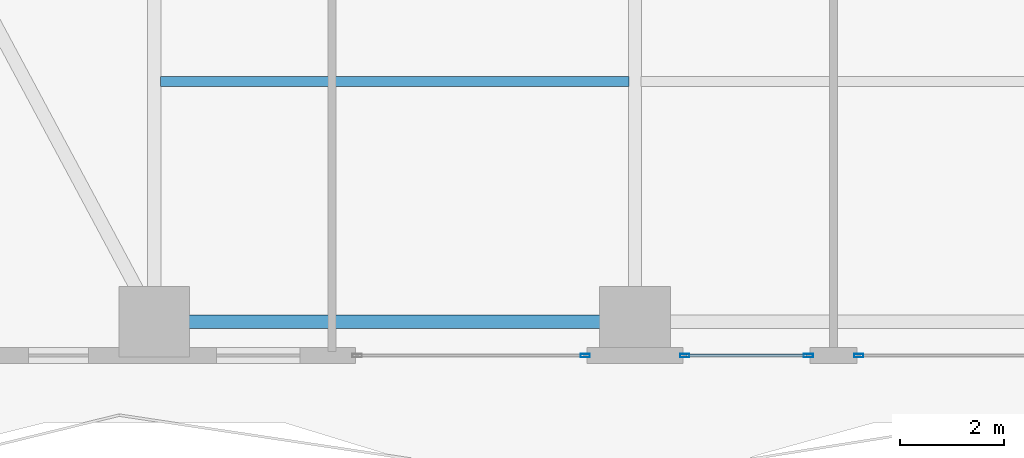
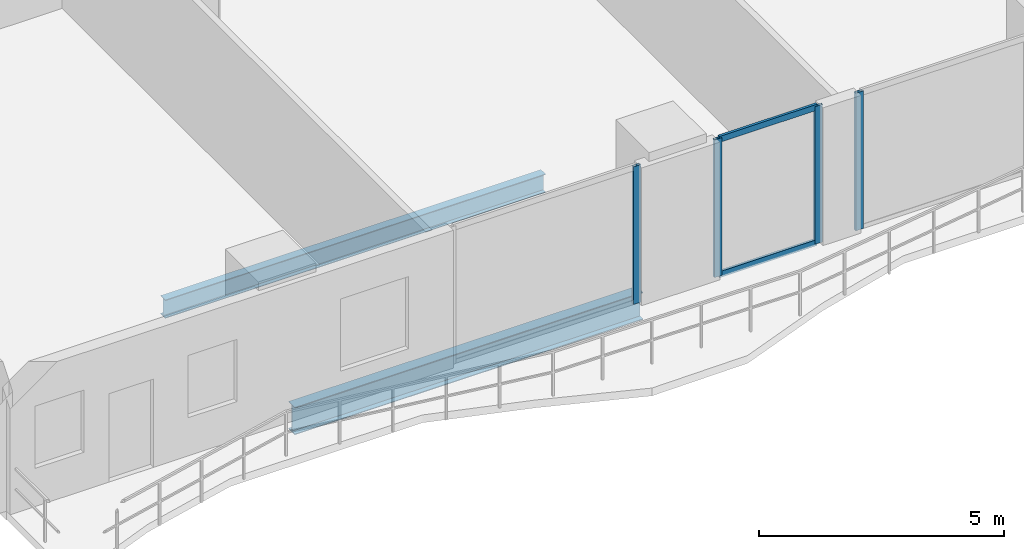
# One storey, part 4 of 28: 6 members, 2 beams, 3 elements without a shape of their own.
"""IFC4 building model written with IfcOpenShell, lengths in metres."""

from ifc_helpers import new_model, si_unit, direction, frame, origin, origin_2d, place, context, subcontext, project, spatial, hollow_rectangle, i_section, extrude, material, layer, layer_set, material_profile, profile_set, type_object, element, aggregate, save


model = new_model("IFC4")

# Units and contexts
model_context = context("Model", 3, precision=1e-05, world=origin(), true_north=direction((0.0, 1.0)))
body_context = subcontext(model_context, "Body", "Model", "MODEL_VIEW")
ifc_project = project(units=[si_unit("LENGTHUNIT", "METRE"), si_unit("AREAUNIT", "SQUARE_METRE"), si_unit("VOLUMEUNIT", "CUBIC_METRE"), si_unit("PLANEANGLEUNIT", "RADIAN"), si_unit("MASSUNIT", "GRAM", prefix="KILO")], contexts=[model_context])

# Site, building, storey
site_placement = place(None, origin())
site = spatial("IfcSite", under=ifc_project, at=site_placement, CompositionType="ELEMENT")
building_placement = place(site_placement, origin())
building = spatial("IfcBuilding", under=site, at=building_placement, Name="Zuhayl Quay Hotel", CompositionType="ELEMENT")
storey_placement = place(building_placement, frame((0.0, 0.0, 139.449951171875)))
storey = spatial("IfcBuildingStorey", under=building, at=storey_placement, Name="L35", CompositionType="ELEMENT", Elevation=139.449951171875)

# Beams
ifc_material_1 = material(Name="Steel ASTM A992 Grade 50", Category="steel")
ifc_material_profile_1 = material_profile(ifc_material_1, i_section(OverallWidth=0.25390625, OverallDepth=0.68310546875, WebThickness=0.012451171875, FlangeThickness=0.018798828125, at=origin_2d()), Name="W27X94")
ifc_profile_set_1 = profile_set([ifc_material_profile_1], Name="Steel ASTM A992 Grade 50")
beam_type_1 = type_object("IfcBeamType", Name="BM_B2_W27X94", PredefinedType="BEAM", material=ifc_profile_set_1)
beam_1_placement = place(storey_placement, frame((-13.300048828125, -14.75, -0.5615234375), z_axis=(1.0, 0.0, 0.0), x_axis=(0.0, 1.0, 0.0)))
element("IfcBeam", 1, at=beam_1_placement, inside=storey, type_object=beam_type_1, Name="L35 Floor Beam RG_L35_01", PredefinedType="BEAM", context=body_context, shape_type="SweptSolid", body=[
    extrude(i_section(OverallWidth=0.25390625, OverallDepth=0.68310546875, WebThickness=0.012451171875, FlangeThickness=0.018798828125, at=origin_2d()), origin(), (0.0, 0.0, 1.0), 8.199951171875),
])
ifc_material_profile_2 = material_profile(ifc_material_1, i_section(OverallWidth=0.18994140625, OverallDepth=0.45703125, WebThickness=0.009033203125, FlangeThickness=0.014404296875, at=origin_2d()), Name="W18X50")
ifc_profile_set_2 = profile_set([ifc_material_profile_2], Name="Steel ASTM A992 Grade 50")
beam_type_2 = type_object("IfcBeamType", Name="BM_J2_W18X50", PredefinedType="JOIST", material=ifc_profile_set_2)
beam_2_placement = place(storey_placement, frame((-13.680908203125, -10.14990234375, -0.448486328125), z_axis=(1.0, 0.0, 0.0), x_axis=(0.0, 1.0, 0.0)))
element("IfcBeam", 2, at=beam_2_placement, inside=storey, type_object=beam_type_2, Name="L35 Floor Beam FJ_L35_5_1", PredefinedType="JOIST", context=body_context, shape_type="SweptSolid", body=[
    extrude(i_section(OverallWidth=0.18994140625, OverallDepth=0.45703125, WebThickness=0.009033203125, FlangeThickness=0.014404296875, at=origin_2d()), origin(), (0.0, 0.0, 1.0), 8.9619140625),
])

# Curtain wall, member
ifc_material_2 = material(Name="Anodised Aluminium 6063-T6", Category="aluminium")
ifc_layer = layer(ifc_material_2, 0.179931640625, Name="Anodised Aluminium 6063-T6", Category="aluminium")
ifc_layer_set = layer_set([ifc_layer], Name="Anodised Aluminium 6063-T6")
curtain_wall_type = type_object("IfcCurtainWallType", Name="CW_SYS_Z2", PredefinedType="USERDEFINED", material=ifc_layer_set)
curtain_wall_1_placement = place(storey_placement, origin())
curtain_wall_1 = element("IfcCurtainWall", 3, at=curtain_wall_1_placement, inside=storey, type_object=curtain_wall_type, Name="L35 Curtain Wall ENV_L35_S_CW4", ObjectType="UNITISED CURTAIN WALL", PredefinedType="USERDEFINED")
ifc_material_3 = material(Name="Black-anodised aluminium 6063-T6", Category="aluminium")
ifc_material_profile_3 = material_profile(ifc_material_3, hollow_rectangle(XDim=0.06494140625, YDim=0.179931640625, WallThickness=0.00341796875, at=origin_2d()), Name="ALU180X65")
ifc_profile_set_3 = profile_set([ifc_material_profile_3], Name="Black-anodised aluminium 6063-T6")
member_type_1 = type_object("IfcMemberType", Name="MB_CW_MUL_180", PredefinedType="MULLION", material=ifc_profile_set_3)
member_1_placement = place(storey_placement, frame((-0.3173828125, -15.39990234375, 0.0), z_axis=(0.0, 0.0, 1.0), x_axis=(0.0, -1.0, 0.0)))
member_1 = element("IfcMember", 4, at=member_1_placement, type_object=member_type_1, Name="CW-Z2 mullion 2", PredefinedType="MULLION", context=body_context, shape_type="SweptSolid", body=[
    extrude(hollow_rectangle(XDim=0.06494140625, YDim=0.179931640625, WallThickness=0.00341796875, at=origin_2d()), origin(), (0.0, 0.0, 1.0), 3.429931640625),
])
aggregate(curtain_wall_1, [member_1])

# Curtain wall, members
curtain_wall_2_placement = place(storey_placement, origin())
curtain_wall_2 = element("IfcCurtainWall", 5, at=curtain_wall_2_placement, inside=storey, type_object=curtain_wall_type, Name="L35 Curtain Wall ENV_L35_S_CW5", ObjectType="UNITISED CURTAIN WALL", PredefinedType="USERDEFINED")
member_2_placement = place(storey_placement, frame((-1.282470703125, -15.39990234375, 0.0), z_axis=(0.0, 0.0, 1.0), x_axis=(0.0, -1.0, 0.0)))
member_2 = element("IfcMember", 6, at=member_2_placement, type_object=member_type_1, Name="CW-Z2 mullion 1", PredefinedType="MULLION", context=body_context, shape_type="SweptSolid", body=[
    extrude(hollow_rectangle(XDim=0.06494140625, YDim=0.179931640625, WallThickness=0.00341796875, at=origin_2d()), origin(), (0.0, 0.0, 1.0), 3.429931640625),
])
member_3_placement = place(storey_placement, frame((-3.6474609375, -15.39990234375, 0.0), z_axis=(0.0, 0.0, 1.0), x_axis=(0.0, -1.0, 0.0)))
member_3 = element("IfcMember", 7, at=member_3_placement, type_object=member_type_1, Name="CW-Z2 mullion 2", PredefinedType="MULLION", context=body_context, shape_type="SweptSolid", body=[
    extrude(hollow_rectangle(XDim=0.06494140625, YDim=0.179931640625, WallThickness=0.00341796875, at=origin_2d()), origin(), (0.0, 0.0, 1.0), 3.429931640625),
])

# Curtain wall, member
curtain_wall_3_placement = place(storey_placement, origin())
curtain_wall_3 = element("IfcCurtainWall", 8, at=curtain_wall_3_placement, inside=storey, type_object=curtain_wall_type, Name="L35 Curtain Wall ENV_L35_S_CW6", ObjectType="UNITISED CURTAIN WALL", PredefinedType="USERDEFINED")
member_4_placement = place(storey_placement, frame((-5.552490234375, -15.39990234375, 0.0), z_axis=(0.0, 0.0, 1.0), x_axis=(0.0, -1.0, 0.0)))
member_4 = element("IfcMember", 9, at=member_4_placement, type_object=member_type_1, Name="CW-Z2 mullion 1", PredefinedType="MULLION", context=body_context, shape_type="SweptSolid", body=[
    extrude(hollow_rectangle(XDim=0.06494140625, YDim=0.179931640625, WallThickness=0.00341796875, at=origin_2d()), origin(), (0.0, 0.0, 1.0), 3.429931640625),
])
aggregate(curtain_wall_3, [member_4])

# Member
ifc_material_profile_4 = material_profile(ifc_material_3, hollow_rectangle(XDim=0.06005859375, YDim=0.14990234375, WallThickness=0.00341796875, at=origin_2d()), Name="ALU150X60")
ifc_profile_set_4 = profile_set([ifc_material_profile_4], Name="Black-anodised aluminium 6063-T6")
member_type_2 = type_object("IfcMemberType", Name="MB_CW_TRN_150", PredefinedType="USERDEFINED", material=ifc_profile_set_4)
member_5_placement = place(storey_placement, frame((-1.31494140625, -15.39990234375, 0.030029296875), z_axis=(-1.0, 0.0, 0.0), x_axis=(0.0, -1.0, 0.0)))
member_5 = element("IfcMember", 10, at=member_5_placement, type_object=member_type_2, Name="CW-Z2 transom 1.1", ObjectType="TRANSOM", PredefinedType="USERDEFINED", context=body_context, shape_type="SweptSolid", body=[
    extrude(hollow_rectangle(XDim=0.06005859375, YDim=0.14990234375, WallThickness=0.00341796875, at=origin_2d()), origin(), (0.0, 0.0, 1.0), 2.300048828125),
])

member_6_placement = place(storey_placement, frame((-1.31494140625, -15.39990234375, 3.400146484375), z_axis=(-1.0, 0.0, 0.0), x_axis=(0.0, -1.0, 0.0)))
member_6 = element("IfcMember", 11, at=member_6_placement, type_object=member_type_2, Name="CW-Z2 transom 1.2", ObjectType="TRANSOM", PredefinedType="USERDEFINED", context=body_context, shape_type="SweptSolid", body=[
    extrude(hollow_rectangle(XDim=0.06005859375, YDim=0.14990234375, WallThickness=0.00341796875, at=origin_2d()), origin(), (0.0, 0.0, 1.0), 2.300048828125),
])

aggregate(curtain_wall_2, [member_2, member_3, member_5, member_6])

save(model, "model.ifc")
